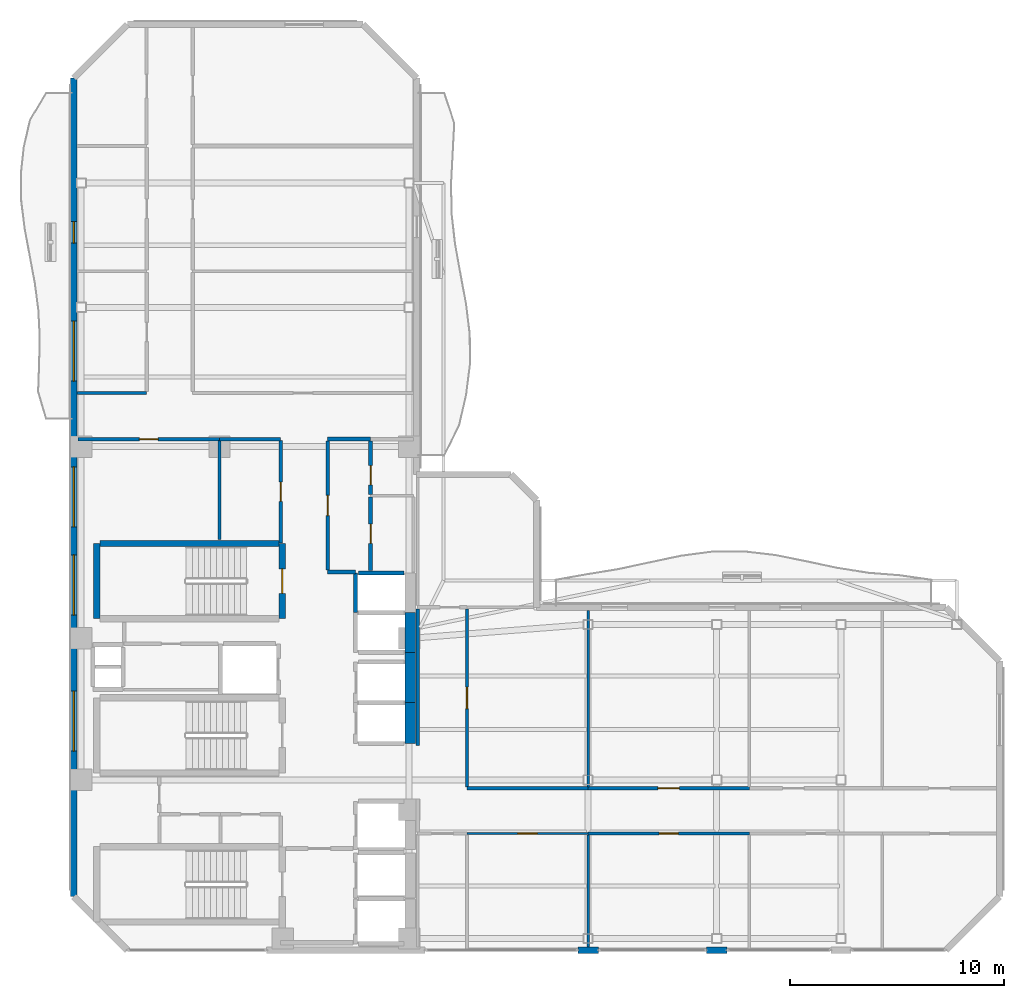
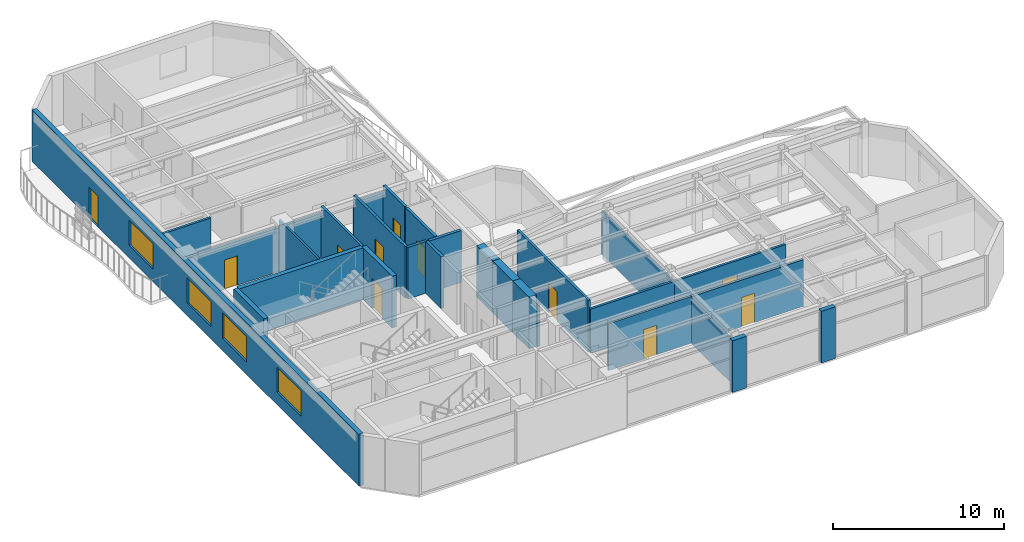
# One storey, part 10 of 16: 29 walls, 11 doors, 4 windows, 15 openings.
"""IFC4 building model written with IfcOpenShell, lengths in metres."""

import ifcopenshell
import ifcopenshell.guid

model = None  # the IFC model being written
_history = None  # IfcOwnerHistory: only IFC2X3 demands one
_inside = {}  # id of a spatial element -> (the spatial element, [elements in it])
_under = {}  # id of a project, library or spatial element -> (it, [spatial elements below it])
_declared = {}  # id of a project -> (the project, [libraries it declares])
_typed = {}  # id of a type object -> (the type object, [elements of that type])
_made_of = {}  # id of a material, layer set ... -> (it, [elements and type objects made of it])


def new_model(schema):
    """Start an empty IFC model of exactly this schema.

    Asked for "IFC4X3", IfcOpenShell would pick the latest addendum, in which some entities
    have other attributes; the version numbers below select the first issue.
    IFC2X3 requires an IfcOwnerHistory on every rooted entity: one is made here for all.
    """
    global model, _history
    if schema == "IFC4X3":
        model = ifcopenshell.file(schema_version=(4, 3, 0, 0))
    else:
        model = ifcopenshell.file(schema=schema)
    _inside.clear()
    _under.clear()
    _declared.clear()
    _typed.clear()
    _made_of.clear()
    _history = None
    if model.schema == "IFC2X3":
        org = make("IfcOrganization", Name="unknown")
        user = make(
            "IfcPersonAndOrganization",
            ThePerson=make("IfcPerson", FamilyName="unknown"),
            TheOrganization=org,
        )
        app = make(
            "IfcApplication",
            ApplicationDeveloper=org,
            Version="unknown",
            ApplicationFullName="unknown",
            ApplicationIdentifier="unknown",
        )
        _history = make(
            "IfcOwnerHistory",
            OwningUser=user,
            OwningApplication=app,
            ChangeAction="ADDED",
            CreationDate=0,
        )
    return model


def make(cls, **values):
    """One entity of the class cls with the attributes given. An attribute that is None is left unset."""
    return model.create_entity(
        cls, **{name: value for name, value in values.items() if value is not None}
    )


def rooted(cls, **values):
    """An entity with a GlobalId (a new one), such as an element, a storey or a relation."""
    return make(cls, GlobalId=ifcopenshell.guid.new(), OwnerHistory=_history, **values)


def si_unit(unit_type, name, prefix=None):
    """IfcSIUnit, for example si_unit("LENGTHUNIT", "METRE", prefix="MILLI")."""
    return make("IfcSIUnit", UnitType=unit_type, Prefix=prefix, Name=name)


def assignment(units):
    """IfcUnitAssignment: the units of a project."""
    return None if units is None else make("IfcUnitAssignment", Units=units)


def point(xyz):
    """IfcCartesianPoint."""
    return None if xyz is None else make("IfcCartesianPoint", Coordinates=xyz)


def direction(xyz):
    """IfcDirection."""
    return None if xyz is None else make("IfcDirection", DirectionRatios=xyz)


def frame(location, z_axis=None, x_axis=None):
    """IfcAxis2Placement3D, a coordinate frame: its origin and axes. An axis left out is left unset."""
    return make(
        "IfcAxis2Placement3D",
        Location=point(location),
        Axis=direction(z_axis),
        RefDirection=direction(x_axis),
    )


def frame_2d(location, x_axis=None):
    """IfcAxis2Placement2D, a coordinate frame in the plane: its origin and x axis."""
    return make(
        "IfcAxis2Placement2D", Location=point(location), RefDirection=direction(x_axis)
    )


def origin():
    """The frame at (0, 0, 0) with its axes left unset."""
    return frame((0.0, 0.0, 0.0))


def place(relative_to, where):
    """IfcLocalPlacement: puts the frame where relative to a parent placement (None: the world)."""
    return make(
        "IfcLocalPlacement", PlacementRelTo=relative_to, RelativePlacement=where
    )


def context(
    kind, dimensions, precision=None, world=None, true_north=None, identifier=None
):
    """IfcGeometricRepresentationContext, for example the 3D "Model" context."""
    return make(
        "IfcGeometricRepresentationContext",
        ContextIdentifier=identifier,
        ContextType=kind,
        CoordinateSpaceDimension=dimensions,
        Precision=precision,
        WorldCoordinateSystem=world,
        TrueNorth=true_north,
    )


def subcontext(parent, identifier, kind, view, scale=None):
    """IfcGeometricRepresentationSubContext, for example "Body" below "Model"."""
    return make(
        "IfcGeometricRepresentationSubContext",
        ContextIdentifier=identifier,
        ContextType=kind,
        ParentContext=parent,
        TargetScale=scale,
        TargetView=view,
    )


def project(units=None, contexts=None):
    """IfcProject with its units and contexts."""
    return rooted(
        "IfcProject",
        Name="project",
        RepresentationContexts=contexts,
        UnitsInContext=assignment(units),
    )


def spatial(cls, under=None, at=None, **own):
    """A site, building, storey or space (cls), placed at a placement, below another one or the project."""
    s = rooted(cls, ObjectPlacement=at, **own)
    if under is not None:
        _under.setdefault(under.id(), (under, []))[1].append(s)
    return s


def profile(cls, at=None, kind="AREA", **sizes):
    """A parametric profile (cls). Its sizes go by their IFC names, for example OverallWidth=200.0."""
    return make(cls, ProfileType=kind, Position=at, **sizes)


def rectangle(**sizes):
    """IfcRectangleProfileDef."""
    return profile("IfcRectangleProfileDef", **sizes)


def extrude(swept, where, along, depth):
    """IfcExtrudedAreaSolid: the profile swept, set in the frame where, extruded along a direction by depth."""
    return make(
        "IfcExtrudedAreaSolid",
        SweptArea=swept,
        Position=where,
        ExtrudedDirection=direction(along),
        Depth=depth,
    )


def shape(context_of_items, identifier, shape_type, items):
    """IfcShapeRepresentation: the items that make up one representation, for example the "Body"."""
    return make(
        "IfcShapeRepresentation",
        ContextOfItems=context_of_items,
        RepresentationIdentifier=identifier,
        RepresentationType=shape_type,
        Items=items,
    )


def material(Name=None, Category=None):
    """IfcMaterial."""
    return make("IfcMaterial", Name=Name, Category=Category)


def layer(
    of_material, thickness, ventilated=None, Name=None, Category=None, Priority=None
):
    """IfcMaterialLayer: one layer of a wall or slab, of a material (None: an air gap)."""
    return make(
        "IfcMaterialLayer",
        Material=of_material,
        LayerThickness=thickness,
        IsVentilated=ventilated,
        Name=Name,
        Category=Category,
        Priority=Priority,
    )


def layer_set(layers, Name=None):
    """IfcMaterialLayerSet."""
    return make("IfcMaterialLayerSet", MaterialLayers=layers, LayerSetName=Name)


def made_of(thing, what):
    """Note that an element or type object is made of a material, layer set ...; save() writes the relation."""
    if what is not None:
        _made_of.setdefault(what.id(), (what, []))[1].append(thing)
    return thing


def type_object(cls, material=None, **own):
    """A type object (cls), such as IfcWallType, which elements share."""
    return made_of(rooted(cls, **own), material)


def element(
    cls,
    number,
    at=None,
    inside=None,
    cuts=None,
    type_object=None,
    material=None,
    context=None,
    identifier="Body",
    shape_type=None,
    held_by="IfcProductDefinitionShape",
    body=None,
    shapes=None,
    **own,
):
    """One element of the class cls, such as IfcWall. Its Tag is "e" and its number.

    at: its placement. inside: the storey or other place that contains it. cuts: it is an
    opening in that element (IfcRelVoidsElement). A single representation is given by context,
    identifier, shape_type and body (its items); several are given by shapes. held_by: the class
    of the entity that holds the representations. save() writes the other relations.
    """
    e = rooted(cls, Tag="e%d" % number, ObjectPlacement=at, **own)
    if body is not None:
        shapes = [shape(context, identifier, shape_type, body)]
    if shapes is not None:
        e.Representation = make(held_by, Representations=shapes)
    if inside is not None:
        _inside.setdefault(inside.id(), (inside, []))[1].append(e)
    if cuts is not None:
        rooted(
            "IfcRelVoidsElement", RelatingBuildingElement=cuts, RelatedOpeningElement=e
        )
    if type_object is not None:
        _typed.setdefault(type_object.id(), (type_object, []))[1].append(e)
    return made_of(e, material)


def fill(opening, filler):
    """IfcRelFillsElement: the door or window that sits in an opening."""
    return rooted(
        "IfcRelFillsElement",
        RelatingOpeningElement=opening,
        RelatedBuildingElement=filler,
    )


def aggregate(whole, parts):
    """IfcRelAggregates: a whole, such as a stair, and the parts it consists of."""
    return rooted("IfcRelAggregates", RelatingObject=whole, RelatedObjects=parts)


def save(model, path):
    """Write the relations noted so far, then the file.

    IfcRelAggregates (storeys below a building ...), IfcRelContainedInSpatialStructure (elements
    in a storey), IfcRelDefinesByType, IfcRelAssociatesMaterial and IfcRelDeclares: one each for
    every whole, place, type object, material and project.
    """
    for whole, parts in _under.values():
        aggregate(whole, parts)
    for where, things in _inside.values():
        rooted(
            "IfcRelContainedInSpatialStructure",
            RelatedElements=things,
            RelatingStructure=where,
        )
    for kind, things in _typed.values():
        rooted("IfcRelDefinesByType", RelatedObjects=things, RelatingType=kind)
    for what, things in _made_of.values():
        rooted("IfcRelAssociatesMaterial", RelatedObjects=things, RelatingMaterial=what)
    for by, libraries in _declared.values():
        rooted("IfcRelDeclares", RelatingContext=by, RelatedDefinitions=libraries)
    model.write(path)


model = new_model("IFC4")

# Units and contexts
model_context = context("Model", 3, precision=1e-05, world=origin(), true_north=direction((0.0, 1.0)))
body_context = subcontext(model_context, "Body", "Model", "MODEL_VIEW")
ifc_project = project(units=[si_unit("LENGTHUNIT", "METRE"), si_unit("AREAUNIT", "SQUARE_METRE"), si_unit("VOLUMEUNIT", "CUBIC_METRE"), si_unit("PLANEANGLEUNIT", "RADIAN"), si_unit("MASSUNIT", "GRAM", prefix="KILO")], contexts=[model_context])

# Site, building, storey
site_placement = place(None, origin())
site = spatial("IfcSite", under=ifc_project, at=site_placement, CompositionType="ELEMENT")
building_placement = place(site_placement, origin())
building = spatial("IfcBuilding", under=site, at=building_placement, Name="Mawjaban Terraces University", CompositionType="ELEMENT")
storey_placement = place(building_placement, frame((0.0, 0.0, 230.39990234375)))
storey = spatial("IfcBuildingStorey", under=building, at=storey_placement, Name="L56", CompositionType="ELEMENT", Elevation=230.39990234375)

# Walls
ifc_material_1 = material(Name="Acoustic masonry blockwork", Category="masonry")
ifc_layer_1 = layer(ifc_material_1, 0.179931640625)
ifc_layer_set_1 = layer_set([ifc_layer_1], Name="Acoustic masonry blockwork")
wall_type_1 = type_object("IfcWallType", Name="AcousticStudioWall_180", PredefinedType="PARTITIONING", material=ifc_layer_set_1)
wall_1_placement = place(storey_placement, frame((33.85009765625, 17.64990234375, 0.0), z_axis=(0.0, 0.0, 1.0), x_axis=(1.0, 0.0, 0.0)))
element("IfcWall", 1, at=wall_1_placement, inside=storey, type_object=wall_type_1, Name="L56 Graduate Research Collaboration Studio Partition 11", PredefinedType="PARTITIONING", context=body_context, shape_type="SweptSolid", body=[
    extrude(rectangle(XDim=1.2998046875, YDim=0.179931640625, at=frame_2d((0.64990234375, 0.0))), origin(), (0.0, 0.0, 1.0), 3.690185546875),
])
wall_2_placement = place(storey_placement, frame((35.85009765625, 23.85009765625, 0.0), z_axis=(0.0, 0.0, 1.0), x_axis=(-1.0, 0.0, 0.0)))
element("IfcWall", 2, at=wall_2_placement, inside=storey, type_object=wall_type_1, Name="L56 Graduate Research Collaboration Studio Partition 14", PredefinedType="PARTITIONING", context=body_context, shape_type="SweptSolid", body=[
    extrude(rectangle(XDim=2.0, YDim=0.179931640625, at=frame_2d((1.0, 0.0))), origin(), (0.0, 0.0, 1.0), 3.13916015625),
])

# Wall, opening, door
wall_3_placement = place(storey_placement, frame((33.85009765625, 17.735107421875, 0.0), z_axis=(0.0, 0.0, 1.0), x_axis=(0.0, 1.0, 0.0)))
wall_3 = element("IfcWall", 3, at=wall_3_placement, inside=storey, type_object=wall_type_1, Name="L56 Core North Lift Lobby Partition 43", PredefinedType="PARTITIONING", context=body_context, shape_type="SweptSolid", body=[
    extrude(rectangle(XDim=6.02978515625, YDim=0.179931640625, at=frame_2d((3.014892578125, 0.0))), origin(), (0.0, 0.0, 1.0), 3.690185546875),
])
opening_1_placement = place(wall_3_placement, frame((2.5400390625, 0.0, 0.0)))
opening_1 = element("IfcOpeningElement", 4, at=opening_1_placement, cuts=wall_3, Name="Opening ID-095", PredefinedType="OPENING", context=body_context, shape_type="SweptSolid", body=[
    extrude(rectangle(XDim=0.949951171875, YDim=2.10009765625, at=frame_2d((0.47509765625, 1.050048828125))), frame((0.0, 0.099853515625, 0.0), z_axis=(0.0, -1.0, 0.0), x_axis=(1.0, 0.0, 0.0)), (0.0, 0.0, 1.0), 0.199951171875),
])
ifc_material_2 = material(Name="Powder-coated steel frame and solid acoustic timber leaf", Category="steel")
door_type_1 = type_object("IfcDoorType", Name="StudioDoor_950x2100", OperationType="NOTDEFINED", PredefinedType="DOOR", material=ifc_material_2)
door_1_placement = place(opening_1_placement, origin())
door_1 = element("IfcDoor", 5, at=door_1_placement, inside=storey, type_object=door_type_1, Name="L56 Graduate Research Collaboration Studio Door", OperationType="SINGLE_SWING_LEFT", OverallHeight=2.10009765625, OverallWidth=0.949951171875, PredefinedType="DOOR", context=body_context, shape_type="SweptSolid", body=[
    extrude(rectangle(XDim=0.949951171875, YDim=2.10009765625, at=frame_2d((0.47509765625, 1.050048828125))), frame((0.0, 0.02490234375, 0.0), z_axis=(0.0, -1.0, 0.0), x_axis=(1.0, 0.0, 0.0)), (0.0, 0.0, 1.0), 0.050048828125),
])
fill(opening_1, door_1)

wall_4_placement = place(storey_placement, frame((35.85009765625, 17.72998046875, 0.0), z_axis=(0.0, 0.0, 1.0), x_axis=(0.0, 1.0, 0.0)))
wall_4 = element("IfcWall", 6, at=wall_4_placement, inside=storey, type_object=wall_type_1, Name="L56 Graduate Research Collaboration Studio Partition 44", PredefinedType="PARTITIONING", context=body_context, shape_type="SweptSolid", body=[
    extrude(rectangle(XDim=3.412109375, YDim=0.179931640625, at=frame_2d((1.7060546875, 0.0))), origin(), (0.0, 0.0, 1.0), 3.690185546875),
])
opening_2_placement = place(wall_4_placement, frame((1.256103515625, 0.0, 0.0)))
opening_2 = element("IfcOpeningElement", 7, at=opening_2_placement, cuts=wall_4, Name="Opening ID-090", PredefinedType="OPENING", context=body_context, shape_type="SweptSolid", body=[
    extrude(rectangle(XDim=0.89990234375, YDim=2.10009765625, at=frame_2d((0.449951171875, 1.050048828125))), frame((0.0, 0.099853515625, 0.0), z_axis=(0.0, -1.0, 0.0), x_axis=(1.0, 0.0, 0.0)), (0.0, 0.0, 1.0), 0.199951171875),
])
door_type_2 = type_object("IfcDoorType", Name="OfficeDoor_900x2100", OperationType="NOTDEFINED", PredefinedType="DOOR", material=ifc_material_2)
door_2_placement = place(opening_2_placement, origin())
door_2 = element("IfcDoor", 8, at=door_2_placement, inside=storey, type_object=door_type_2, Name="L56 Research Instrument Store Door", OperationType="SINGLE_SWING_LEFT", OverallHeight=2.10009765625, OverallWidth=0.89990234375, PredefinedType="DOOR", context=body_context, shape_type="SweptSolid", body=[
    extrude(rectangle(XDim=0.89990234375, YDim=2.10009765625, at=frame_2d((0.449951171875, 1.050048828125))), frame((0.0, 0.02490234375, 0.0), z_axis=(0.0, -1.0, 0.0), x_axis=(1.0, 0.0, 0.0)), (0.0, 0.0, 1.0), 0.050048828125),
])
fill(opening_2, door_2)

wall_5_placement = place(storey_placement, frame((35.85009765625, 21.258056640625, 0.0), z_axis=(0.0, 0.0, 1.0), x_axis=(0.0, 1.0, 0.0)))
wall_5 = element("IfcWall", 9, at=wall_5_placement, inside=storey, type_object=wall_type_1, Name="L56 Graduate Research Collaboration Studio Partition 45", PredefinedType="PARTITIONING", context=body_context, shape_type="SweptSolid", body=[
    extrude(rectangle(XDim=2.5068359375, YDim=0.179931640625, at=frame_2d((1.25341796875, 0.0))), origin(), (0.0, 0.0, 1.0), 3.690185546875),
])
opening_3_placement = place(wall_5_placement, frame((0.4541015625, 0.0, 0.0)))
opening_3 = element("IfcOpeningElement", 10, at=opening_3_placement, cuts=wall_5, Name="Opening ID-090", PredefinedType="OPENING", context=body_context, shape_type="SweptSolid", body=[
    extrude(rectangle(XDim=0.89990234375, YDim=2.10009765625, at=frame_2d((0.449951171875, 1.050048828125))), frame((0.0, 0.099853515625, 0.0), z_axis=(0.0, -1.0, 0.0), x_axis=(1.0, 0.0, 0.0)), (0.0, 0.0, 1.0), 0.199951171875),
])
door_3_placement = place(opening_3_placement, origin())
door_3 = element("IfcDoor", 11, at=door_3_placement, inside=storey, type_object=door_type_2, Name="L56 Graduate Quiet Study Alcove Door", OperationType="SINGLE_SWING_RIGHT", OverallHeight=2.10009765625, OverallWidth=0.89990234375, PredefinedType="DOOR", context=body_context, shape_type="SweptSolid", body=[
    extrude(rectangle(XDim=0.89990234375, YDim=2.10009765625, at=frame_2d((0.449951171875, 1.050048828125))), frame((0.0, 0.02490234375, 0.0), z_axis=(0.0, -1.0, 0.0), x_axis=(1.0, 0.0, 0.0)), (0.0, 0.0, 1.0), 0.050048828125),
])
fill(opening_3, door_3)

# Walls
ifc_material_3 = material(Name="Concrete C60/75", Category="concrete")
ifc_layer_2 = layer(ifc_material_3, 0.5)
ifc_layer_set_2 = layer_set([ifc_layer_2], Name="Concrete C60/75")
wall_type_2 = type_object("IfcWallType", Name="CoreShearWall_500", PredefinedType="SHEAR", material=ifc_layer_set_2)
wall_6_placement = place(storey_placement, frame((37.699951171875, 9.64990234375, 0.0), z_axis=(0.0, 0.0, 1.0), x_axis=(0.0, 1.0, 0.0)))
element("IfcWall", 12, at=wall_6_placement, inside=storey, type_object=wall_type_2, Name="L56 Lift PL-H1 Hoistway Wall East", PredefinedType="SHEAR", context=body_context, shape_type="SweptSolid", body=[
    extrude(rectangle(XDim=1.900146484375, YDim=0.5, at=frame_2d((0.9501953125, 0.0))), origin(), (0.0, 0.0, 1.0), 3.690185546875),
])
wall_7_placement = place(storey_placement, frame((37.699951171875, 11.550048828125, 0.0), z_axis=(0.0, 0.0, 1.0), x_axis=(0.0, 1.0, 0.0)))
element("IfcWall", 13, at=wall_7_placement, inside=storey, type_object=wall_type_2, Name="L56 Lift PL-H2 Hoistway Wall East", PredefinedType="SHEAR", context=body_context, shape_type="SweptSolid", body=[
    extrude(rectangle(XDim=2.349853515625, YDim=0.5, at=frame_2d((1.1748046875, 0.0))), origin(), (0.0, 0.0, 1.0), 3.690185546875),
])
wall_8_placement = place(storey_placement, frame((37.699951171875, 13.89990234375, 0.0), z_axis=(0.0, 0.0, 1.0), x_axis=(0.0, 1.0, 0.0)))
element("IfcWall", 14, at=wall_8_placement, inside=storey, type_object=wall_type_2, Name="L56 Lift OL-1 Hoistway Wall East", PredefinedType="SHEAR", context=body_context, shape_type="SweptSolid", body=[
    extrude(rectangle(XDim=1.85009765625, YDim=0.5, at=frame_2d((0.925048828125, 0.0))), origin(), (0.0, 0.0, 1.0), 3.690185546875),
])
ifc_material_4 = material(Name="Fire-rated gypsum board on steel stud", Category="steel")
ifc_layer_3 = layer(ifc_material_4, 0.159912109375)
ifc_layer_set_3 = layer_set([ifc_layer_3], Name="Fire-rated gypsum board on steel stud")
wall_type_3 = type_object("IfcWallType", Name="CorridorPartition_160", PredefinedType="PARTITIONING", material=ifc_layer_set_3)
wall_9_placement = place(storey_placement, frame((25.39990234375, 26.0, 0.0), z_axis=(0.0, 0.0, 1.0), x_axis=(-1.0, 0.0, 0.0)))
element("IfcWall", 15, at=wall_9_placement, inside=storey, type_object=wall_type_3, Name="L56 North Core Cross-Corridor Partition 3", PredefinedType="PARTITIONING", context=body_context, shape_type="SweptSolid", body=[
    extrude(rectangle(XDim=3.2548828125, YDim=0.159912109375, at=frame_2d((1.62744140625, 0.0))), origin(), (0.0, 0.0, 1.0), 3.690185546875),
])

# Wall, opening, door
wall_10_placement = place(storey_placement, frame((28.800048828125, 23.85009765625, 0.0), z_axis=(0.0, 0.0, 1.0), x_axis=(-1.0, 0.0, 0.0)))
wall_10 = element("IfcWall", 16, at=wall_10_placement, inside=storey, type_object=wall_type_3, Name="L56 Female Toilet Partition 7", PredefinedType="PARTITIONING", context=body_context, shape_type="SweptSolid", body=[
    extrude(rectangle(XDim=6.60009765625, YDim=0.159912109375, at=frame_2d((3.300048828125, 0.0))), origin(), (0.0, 0.0, 1.0), 3.13916015625),
])
opening_4_placement = place(wall_10_placement, frame((2.860107421875, 0.0, 0.0)))
opening_4 = element("IfcOpeningElement", 17, at=opening_4_placement, cuts=wall_10, Name="Opening ID-088", PredefinedType="OPENING", context=body_context, shape_type="SweptSolid", body=[
    extrude(rectangle(XDim=0.8798828125, YDim=2.10009765625, at=frame_2d((0.43994140625, 1.050048828125))), frame((0.0, 0.08984375, 0.0), z_axis=(0.0, -1.0, 0.0), x_axis=(1.0, 0.0, 0.0)), (0.0, 0.0, 1.0), 0.179931640625),
])
door_type_3 = type_object("IfcDoorType", Name="ToiletDoor_880x2100", OperationType="NOTDEFINED", PredefinedType="DOOR", material=ifc_material_2)
door_4_placement = place(opening_4_placement, origin())
door_4 = element("IfcDoor", 18, at=door_4_placement, inside=storey, type_object=door_type_3, Name="L56 Female Toilet Door", OperationType="SINGLE_SWING_LEFT", OverallHeight=2.10009765625, OverallWidth=0.8798828125, PredefinedType="DOOR", context=body_context, shape_type="SweptSolid", body=[
    extrude(rectangle(XDim=0.8798828125, YDim=2.10009765625, at=frame_2d((0.43994140625, 1.050048828125))), frame((0.0, 0.02490234375, 0.0), z_axis=(0.0, -1.0, 0.0), x_axis=(1.0, 0.0, 0.0)), (0.0, 0.0, 1.0), 0.050048828125),
])
fill(opening_4, door_4)

# Wall
wall_11_placement = place(storey_placement, frame((31.64990234375, 23.85009765625, 0.0), z_axis=(0.0, 0.0, 1.0), x_axis=(-1.0, 0.0, 0.0)))
element("IfcWall", 19, at=wall_11_placement, inside=storey, type_object=wall_type_3, Name="L56 Faculty Academic Resource Office Partition 10", PredefinedType="PARTITIONING", context=body_context, shape_type="SweptSolid", body=[
    extrude(rectangle(XDim=2.849853515625, YDim=0.159912109375, at=frame_2d((1.4248046875, 0.0))), origin(), (0.0, 0.0, 1.0), 3.13916015625),
])

# Wall, opening, door
wall_12_placement = place(storey_placement, frame((46.0, 5.449951171875, 0.0), z_axis=(0.0, 0.0, 1.0), x_axis=(1.0, 0.0, 0.0)))
wall_12 = element("IfcWall", 20, at=wall_12_placement, inside=storey, type_object=wall_type_3, Name="L56 South Shifted Academic Corridor Partition 23", PredefinedType="PARTITIONING", context=body_context, shape_type="SweptSolid", body=[
    extrude(rectangle(XDim=7.52001953125, YDim=0.159912109375, at=frame_2d((3.760009765625, 0.0))), origin(), (0.0, 0.0, 1.0), 3.343017578125),
])
opening_5_placement = place(wall_12_placement, frame((3.31005859375, 0.0, 0.0)))
opening_5 = element("IfcOpeningElement", 21, at=opening_5_placement, cuts=wall_12, Name="Opening ID-090", PredefinedType="OPENING", context=body_context, shape_type="SweptSolid", body=[
    extrude(rectangle(XDim=0.89990234375, YDim=2.10009765625, at=frame_2d((0.449951171875, 1.050048828125))), frame((0.0, 0.08984375, 0.0), z_axis=(0.0, -1.0, 0.0), x_axis=(1.0, 0.0, 0.0)), (0.0, 0.0, 1.0), 0.179931640625),
])
door_5_placement = place(opening_5_placement, origin())
door_5 = element("IfcDoor", 22, at=door_5_placement, inside=storey, type_object=door_type_2, Name="L56 Seminar Room 4 Door", OperationType="SINGLE_SWING_LEFT", OverallHeight=2.10009765625, OverallWidth=0.89990234375, PredefinedType="DOOR", context=body_context, shape_type="SweptSolid", body=[
    extrude(rectangle(XDim=0.89990234375, YDim=2.10009765625, at=frame_2d((0.449951171875, 1.050048828125))), frame((0.0, 0.02490234375, 0.0), z_axis=(0.0, -1.0, 0.0), x_axis=(1.0, 0.0, 0.0)), (0.0, 0.0, 1.0), 0.050048828125),
])
fill(opening_5, door_5)

# Wall
wall_13_placement = place(storey_placement, frame((46.0, 7.550048828125, 0.0), z_axis=(0.0, 0.0, 1.0), x_axis=(-1.0, 0.0, 0.0)))
element("IfcWall", 23, at=wall_13_placement, inside=storey, type_object=wall_type_3, Name="L56 South Shifted Academic Corridor Partition 24", PredefinedType="PARTITIONING", context=body_context, shape_type="SweptSolid", body=[
    extrude(rectangle(XDim=5.64990234375, YDim=0.159912109375, at=frame_2d((2.824951171875, 0.0))), origin(), (0.0, 0.0, 1.0), 3.13916015625),
])

# Wall, opening, door
wall_14_placement = place(storey_placement, frame((53.52001953125, 7.550048828125, 0.0), z_axis=(0.0, 0.0, 1.0), x_axis=(-1.0, 0.0, 0.0)))
wall_14 = element("IfcWall", 24, at=wall_14_placement, inside=storey, type_object=wall_type_3, Name="L56 South Shifted Academic Corridor Partition 26", PredefinedType="PARTITIONING", context=body_context, shape_type="SweptSolid", body=[
    extrude(rectangle(XDim=7.52001953125, YDim=0.159912109375, at=frame_2d((3.760009765625, 0.0))), origin(), (0.0, 0.0, 1.0), 3.13916015625),
])
opening_6_placement = place(wall_14_placement, frame((3.260009765625, 0.0, 0.0)))
opening_6 = element("IfcOpeningElement", 25, at=opening_6_placement, cuts=wall_14, Name="Opening ID-100", PredefinedType="OPENING", context=body_context, shape_type="SweptSolid", body=[
    extrude(rectangle(XDim=1.0, YDim=2.10009765625, at=frame_2d((0.5, 1.050048828125))), frame((0.0, 0.08984375, 0.0), z_axis=(0.0, -1.0, 0.0), x_axis=(1.0, 0.0, 0.0)), (0.0, 0.0, 1.0), 0.179931640625),
])
door_type_4 = type_object("IfcDoorType", Name="ClassroomDoor_1000x2100", OperationType="NOTDEFINED", PredefinedType="DOOR", material=ifc_material_2)
door_6_placement = place(opening_6_placement, origin())
door_6 = element("IfcDoor", 26, at=door_6_placement, inside=storey, type_object=door_type_4, Name="L56 Tutorial Room 5 Door", OperationType="SINGLE_SWING_RIGHT", OverallHeight=2.10009765625, OverallWidth=1.0, PredefinedType="DOOR", context=body_context, shape_type="SweptSolid", body=[
    extrude(rectangle(XDim=1.0, YDim=2.10009765625, at=frame_2d((0.5, 1.050048828125))), frame((0.0, 0.02490234375, 0.0), z_axis=(0.0, -1.0, 0.0), x_axis=(1.0, 0.0, 0.0)), (0.0, 0.0, 1.0), 0.050048828125),
])
fill(opening_6, door_6)

wall_15_placement = place(storey_placement, frame((31.64990234375, 19.010009765625, 0.0), z_axis=(0.0, 0.0, 1.0), x_axis=(0.0, 1.0, 0.0)))
wall_15 = element("IfcWall", 27, at=wall_15_placement, inside=storey, type_object=wall_type_3, Name="L56 Faculty Academic Resource Office Partition 42", PredefinedType="PARTITIONING", context=body_context, shape_type="SweptSolid", body=[
    extrude(rectangle(XDim=4.764892578125, YDim=0.159912109375, at=frame_2d((2.38232421875, 0.0))), origin(), (0.0, 0.0, 1.0), 3.690185546875),
])
opening_7_placement = place(wall_15_placement, frame((1.931884765625, 0.0, 0.0)))
opening_7 = element("IfcOpeningElement", 28, at=opening_7_placement, cuts=wall_15, Name="Opening ID-090", PredefinedType="OPENING", context=body_context, shape_type="SweptSolid", body=[
    extrude(rectangle(XDim=0.89990234375, YDim=2.10009765625, at=frame_2d((0.449951171875, 1.050048828125))), frame((0.0, 0.08984375, 0.0), z_axis=(0.0, -1.0, 0.0), x_axis=(1.0, 0.0, 0.0)), (0.0, 0.0, 1.0), 0.179931640625),
])
door_7_placement = place(opening_7_placement, origin())
door_7 = element("IfcDoor", 29, at=door_7_placement, inside=storey, type_object=door_type_2, Name="L56 Faculty Academic Resource Office Door", OperationType="SINGLE_SWING_RIGHT", OverallHeight=2.10009765625, OverallWidth=0.89990234375, PredefinedType="DOOR", context=body_context, shape_type="SweptSolid", body=[
    extrude(rectangle(XDim=0.89990234375, YDim=2.10009765625, at=frame_2d((0.449951171875, 1.050048828125))), frame((0.0, 0.02490234375, 0.0), z_axis=(0.0, -1.0, 0.0), x_axis=(1.0, 0.0, 0.0)), (0.0, 0.0, 1.0), 0.050048828125),
])
fill(opening_7, door_7)

# Wall
wall_16_placement = place(storey_placement, frame((38.050048828125, 15.925048828125, 0.0), z_axis=(0.0, 0.0, 1.0), x_axis=(0.0, -1.0, 0.0)))
element("IfcWall", 30, at=wall_16_placement, inside=storey, type_object=wall_type_3, Name="L56 South Spine Spur Link Partition 49", PredefinedType="PARTITIONING", context=body_context, shape_type="SweptSolid", body=[
    extrude(rectangle(XDim=6.375, YDim=0.159912109375, at=frame_2d((3.1875, 0.0))), origin(), (0.0, 0.0, 1.0), 3.13916015625),
])

# Wall, opening, door
wall_17_placement = place(storey_placement, frame((40.35009765625, 7.625, 0.0), z_axis=(0.0, 0.0, 1.0), x_axis=(0.0, 1.0, 0.0)))
wall_17 = element("IfcWall", 31, at=wall_17_placement, inside=storey, type_object=wall_type_3, Name="L56 South Spine Spur Link Partition 52", PredefinedType="PARTITIONING", context=body_context, shape_type="SweptSolid", body=[
    extrude(rectangle(XDim=8.300048828125, YDim=0.159912109375, at=frame_2d((4.14990234375, 0.0))), origin(), (0.0, 0.0, 1.0), 3.690185546875),
])
opening_8_placement = place(wall_17_placement, frame((3.64990234375, 0.0, 0.0)))
opening_8 = element("IfcOpeningElement", 32, at=opening_8_placement, cuts=wall_17, Name="Opening ID-100", PredefinedType="OPENING", context=body_context, shape_type="SweptSolid", body=[
    extrude(rectangle(XDim=1.0, YDim=2.10009765625, at=frame_2d((0.5, 1.050048828125))), frame((0.0, 0.08984375, 0.0), z_axis=(0.0, -1.0, 0.0), x_axis=(1.0, 0.0, 0.0)), (0.0, 0.0, 1.0), 0.179931640625),
])
door_8_placement = place(opening_8_placement, origin())
door_8 = element("IfcDoor", 33, at=door_8_placement, inside=storey, type_object=door_type_4, Name="L56 Classroom 3 Door", OperationType="SINGLE_SWING_RIGHT", OverallHeight=2.10009765625, OverallWidth=1.0, PredefinedType="DOOR", context=body_context, shape_type="SweptSolid", body=[
    extrude(rectangle(XDim=1.0, YDim=2.10009765625, at=frame_2d((0.5, 1.050048828125))), frame((0.0, 0.02490234375, 0.0), z_axis=(0.0, -1.0, 0.0), x_axis=(1.0, 0.0, 0.0)), (0.0, 0.0, 1.0), 0.050048828125),
])
fill(opening_8, door_8)

# Walls
ifc_material_5 = material(Name="Insulated terracotta rainscreen on concrete backup C40/50", Category="masonry")
ifc_layer_4 = layer(ifc_material_5, 0.300048828125)
ifc_layer_set_4 = layer_set([ifc_layer_4], Name="Insulated terracotta rainscreen on concrete backup C40/50")
wall_type_4 = type_object("IfcWallType", Name="ExtTerracottaWall_300", PredefinedType="SOLIDWALL", material=ifc_layer_set_4)
for number, where, z_axis, x_axis, name in (
    (34, (45.52490234375, 0.0, 0.0), (0.0, 0.0, 1.0), (1.0, 0.0, 0.0), "L56 Exterior Terracotta Pier Wall 1.2"),
    (35, (51.52490234375, 0.0, 0.0), (0.0, 0.0, 1.0), (1.0, 0.0, 0.0), "L56 Exterior Terracotta Pier Wall 1.3"),
):
    element("IfcWall", number, at=place(storey_placement, frame(where, z_axis=z_axis, x_axis=x_axis)), inside=storey, type_object=wall_type_4, Name=name, PredefinedType="SOLIDWALL", context=body_context, shape_type="SweptSolid", body=[
        extrude(rectangle(XDim=0.9501953125, YDim=0.300048828125, at=frame_2d((0.47509765625, 0.0))), origin(), (0.0, 0.0, 1.0), 3.690185546875),
    ])

# Wall, openings, door, windows
wall_18_placement = place(storey_placement, frame((22.0, 40.699951171875, 0.0), z_axis=(0.0, 0.0, 1.0), x_axis=(0.0, -1.0, 0.0)))
wall_18 = element("IfcWall", 36, at=wall_18_placement, inside=storey, type_object=wall_type_4, Name="L56 Exterior Terracotta Wall 13", PredefinedType="SOLIDWALL", context=body_context, shape_type="SweptSolid", body=[
    extrude(rectangle(XDim=38.199951171875, YDim=0.300048828125, at=frame_2d((19.10009765625, 0.0))), origin(), (0.0, 0.0, 1.0), 3.690185546875),
])
opening_9_placement = place(wall_18_placement, frame((6.699951171875, 0.0, 0.0)))
opening_9 = element("IfcOpeningElement", 37, at=opening_9_placement, cuts=wall_18, Name="Opening BD-100", PredefinedType="OPENING", context=body_context, shape_type="SweptSolid", body=[
    extrude(rectangle(XDim=1.0, YDim=2.199951171875, at=frame_2d((0.5, 1.10009765625))), frame((0.0, 0.159912109375, 0.0), z_axis=(0.0, -1.0, 0.0), x_axis=(1.0, 0.0, 0.0)), (0.0, 0.0, 1.0), 0.320068359375),
])
opening_10_placement = place(wall_18_placement, frame((11.343017578125, 0.0, 0.89990234375)))
opening_10 = element("IfcOpeningElement", 38, at=opening_10_placement, cuts=wall_18, Name="Opening W-09", PredefinedType="OPENING", context=body_context, shape_type="SweptSolid", body=[
    extrude(rectangle(XDim=2.800048828125, YDim=1.800048828125, at=frame_2d((1.39990234375, 0.89990234375))), frame((0.0, 0.159912109375, 0.0), z_axis=(0.0, -1.0, 0.0), x_axis=(1.0, 0.0, 0.0)), (0.0, 0.0, 1.0), 0.320068359375),
])
opening_11_placement = place(wall_18_placement, frame((18.14990234375, 0.0, 0.89990234375)))
opening_11 = element("IfcOpeningElement", 39, at=opening_11_placement, cuts=wall_18, Name="Opening W-09", PredefinedType="OPENING", context=body_context, shape_type="SweptSolid", body=[
    extrude(rectangle(XDim=2.800048828125, YDim=1.800048828125, at=frame_2d((1.39990234375, 0.89990234375))), frame((0.0, 0.159912109375, 0.0), z_axis=(0.0, -1.0, 0.0), x_axis=(1.0, 0.0, 0.0)), (0.0, 0.0, 1.0), 0.320068359375),
])
opening_12_placement = place(wall_18_placement, frame((22.257080078125, 0.0, 0.89990234375)))
opening_12 = element("IfcOpeningElement", 40, at=opening_12_placement, cuts=wall_18, Name="Opening W-09", PredefinedType="OPENING", context=body_context, shape_type="SweptSolid", body=[
    extrude(rectangle(XDim=2.800048828125, YDim=1.800048828125, at=frame_2d((1.39990234375, 0.89990234375))), frame((0.0, 0.159912109375, 0.0), z_axis=(0.0, -1.0, 0.0), x_axis=(1.0, 0.0, 0.0)), (0.0, 0.0, 1.0), 0.320068359375),
])
opening_13_placement = place(wall_18_placement, frame((28.614013671875, 0.0, 0.89990234375)))
opening_13 = element("IfcOpeningElement", 41, at=opening_13_placement, cuts=wall_18, Name="Opening W-09", PredefinedType="OPENING", context=body_context, shape_type="SweptSolid", body=[
    extrude(rectangle(XDim=2.800048828125, YDim=1.800048828125, at=frame_2d((1.39990234375, 0.89990234375))), frame((0.0, 0.159912109375, 0.0), z_axis=(0.0, -1.0, 0.0), x_axis=(1.0, 0.0, 0.0)), (0.0, 0.0, 1.0), 0.320068359375),
])
ifc_material_6 = material(Name="Thermally broken anodised aluminium and laminated safety glass", Category="aluminium")
door_type_5 = type_object("IfcDoorType", Name="BalconyGlazedDoor_1000x2200", OperationType="NOTDEFINED", PredefinedType="DOOR", material=ifc_material_6)
door_9_placement = place(opening_9_placement, origin())
door_9 = element("IfcDoor", 42, at=door_9_placement, inside=storey, type_object=door_type_5, Name="L56 Balcony Access Door west", OperationType="SINGLE_SWING_LEFT", OverallHeight=2.199951171875, OverallWidth=1.0, PredefinedType="DOOR", context=body_context, shape_type="SweptSolid", body=[
    extrude(rectangle(XDim=1.0, YDim=2.199951171875, at=frame_2d((0.5, 1.10009765625))), frame((0.0, 0.02490234375, 0.0), z_axis=(0.0, -1.0, 0.0), x_axis=(1.0, 0.0, 0.0)), (0.0, 0.0, 1.0), 0.050048828125),
])
fill(opening_9, door_9)
ifc_material_7 = material(Name="Low-E solar-control double glazing in thermally broken aluminium frame", Category="aluminium")
window_type = type_object("IfcWindowType", Name="Win_2800x1800", PartitioningType="SINGLE_PANEL", PredefinedType="WINDOW", material=ifc_material_7)
window_1_placement = place(opening_10_placement, origin())
window_1 = element("IfcWindow", 43, at=window_1_placement, inside=storey, type_object=window_type, Name="L56 Facade Window 13.3", OverallHeight=1.800048828125, OverallWidth=2.800048828125, PartitioningType="SINGLE_PANEL", PredefinedType="WINDOW", context=body_context, shape_type="SweptSolid", body=[
    extrude(rectangle(XDim=2.800048828125, YDim=1.800048828125, at=frame_2d((1.39990234375, 0.89990234375))), frame((0.0, 0.030029296875, 0.0), z_axis=(0.0, -1.0, 0.0), x_axis=(1.0, 0.0, 0.0)), (0.0, 0.0, 1.0), 0.06005859375),
])
fill(opening_10, window_1)
window_2_placement = place(opening_11_placement, origin())
window_2 = element("IfcWindow", 44, at=window_2_placement, inside=storey, type_object=window_type, Name="L56 Facade Window 13.4", OverallHeight=1.800048828125, OverallWidth=2.800048828125, PartitioningType="SINGLE_PANEL", PredefinedType="WINDOW", context=body_context, shape_type="SweptSolid", body=[
    extrude(rectangle(XDim=2.800048828125, YDim=1.800048828125, at=frame_2d((1.39990234375, 0.89990234375))), frame((0.0, 0.030029296875, 0.0), z_axis=(0.0, -1.0, 0.0), x_axis=(1.0, 0.0, 0.0)), (0.0, 0.0, 1.0), 0.06005859375),
])
fill(opening_11, window_2)
window_3_placement = place(opening_12_placement, origin())
window_3 = element("IfcWindow", 45, at=window_3_placement, inside=storey, type_object=window_type, Name="L56 Facade Window 13.5", OverallHeight=1.800048828125, OverallWidth=2.800048828125, PartitioningType="SINGLE_PANEL", PredefinedType="WINDOW", context=body_context, shape_type="SweptSolid", body=[
    extrude(rectangle(XDim=2.800048828125, YDim=1.800048828125, at=frame_2d((1.39990234375, 0.89990234375))), frame((0.0, 0.030029296875, 0.0), z_axis=(0.0, -1.0, 0.0), x_axis=(1.0, 0.0, 0.0)), (0.0, 0.0, 1.0), 0.06005859375),
])
fill(opening_12, window_3)
window_4_placement = place(opening_13_placement, origin())
window_4 = element("IfcWindow", 46, at=window_4_placement, inside=storey, type_object=window_type, Name="L56 Facade Window 13.6", OverallHeight=1.800048828125, OverallWidth=2.800048828125, PartitioningType="SINGLE_PANEL", PredefinedType="WINDOW", context=body_context, shape_type="SweptSolid", body=[
    extrude(rectangle(XDim=2.800048828125, YDim=1.800048828125, at=frame_2d((1.39990234375, 0.89990234375))), frame((0.0, 0.030029296875, 0.0), z_axis=(0.0, -1.0, 0.0), x_axis=(1.0, 0.0, 0.0)), (0.0, 0.0, 1.0), 0.06005859375),
])
fill(opening_13, window_4)

# Walls
ifc_material_8 = material(Name="Concrete C40/50", Category="concrete")
ifc_layer_5 = layer(ifc_material_8, 0.199951171875)
ifc_layer_set_5 = layer_set([ifc_layer_5], Name="Concrete C40/50")
wall_type_5 = type_object("IfcWallType", Name="FireLobbyWall_200", PredefinedType="SOLIDWALL", material=ifc_layer_set_5)
wall_19_placement = place(storey_placement, frame((35.14990234375, 17.60009765625, 0.0), z_axis=(0.0, 0.0, 1.0), x_axis=(0.0, -1.0, 0.0)))
element("IfcWall", 47, at=wall_19_placement, inside=storey, type_object=wall_type_5, Name="L56 Lift OL-2 Hoistway Wall West", PredefinedType="SOLIDWALL", context=body_context, shape_type="SweptSolid", body=[
    extrude(rectangle(XDim=1.85009765625, YDim=0.199951171875, at=frame_2d((0.925048828125, 0.0))), origin(), (0.0, 0.0, 1.0), 3.690185546875),
])
wall_20_placement = place(storey_placement, frame((37.419921875, 17.60009765625, 0.0), z_axis=(0.0, 0.0, 1.0), x_axis=(-1.0, 0.0, 0.0)))
element("IfcWall", 48, at=wall_20_placement, inside=storey, type_object=wall_type_5, Name="L56 Lift OL-2 Hoistway Wall North", PredefinedType="SOLIDWALL", context=body_context, shape_type="SweptSolid", body=[
    extrude(rectangle(XDim=2.139892578125, YDim=0.199951171875, at=frame_2d((1.06982421875, 0.0))), origin(), (0.0, 0.0, 1.0), 3.690185546875),
])
ifc_material_9 = material(Name="Gypsum plasterboard on steel stud", Category="steel")
ifc_layer_6 = layer(ifc_material_9, 0.125)
ifc_layer_set_6 = layer_set([ifc_layer_6], Name="Gypsum plasterboard on steel stud")
wall_type_6 = type_object("IfcWallType", Name="OfficePartition_125", PredefinedType="PARTITIONING", material=ifc_layer_set_6)
wall_21_placement = place(storey_placement, frame((46.0, 0.14501953125, 0.0), z_axis=(0.0, 0.0, 1.0), x_axis=(0.0, 1.0, 0.0)))
element("IfcWall", 49, at=wall_21_placement, inside=storey, type_object=wall_type_6, Name="L56 Conference Room 2 Partition 53", PredefinedType="PARTITIONING", context=body_context, shape_type="SweptSolid", body=[
    extrude(rectangle(XDim=5.22998046875, YDim=0.125, at=frame_2d((2.614990234375, 0.0))), origin(), (0.0, 0.0, 1.0), 3.13916015625),
])
wall_22_placement = place(storey_placement, frame((46.0, 7.625, 0.0), z_axis=(0.0, 0.0, 1.0), x_axis=(0.0, 1.0, 0.0)))
element("IfcWall", 50, at=wall_22_placement, inside=storey, type_object=wall_type_6, Name="L56 Classroom 3 Partition 54", PredefinedType="PARTITIONING", context=body_context, shape_type="SweptSolid", body=[
    extrude(rectangle(XDim=8.22998046875, YDim=0.125, at=frame_2d((4.114990234375, 0.0))), origin(), (0.0, 0.0, 1.0), 3.13916015625),
])

# Wall, opening, door
ifc_material_10 = material(Name="Acoustic operable panel partition", Category="masonry")
ifc_layer_7 = layer(ifc_material_10, 0.110107421875)
ifc_layer_set_7 = layer_set([ifc_layer_7], Name="Acoustic operable panel partition")
wall_type_7 = type_object("IfcWallType", Name="OperableSeminarWall_110", PredefinedType="MOVABLE", material=ifc_layer_set_7)
wall_23_placement = place(storey_placement, frame((40.35009765625, 5.449951171875, 0.0), z_axis=(0.0, 0.0, 1.0), x_axis=(1.0, 0.0, 0.0)))
wall_23 = element("IfcWall", 51, at=wall_23_placement, inside=storey, type_object=wall_type_7, Name="L56 South Shifted Academic Corridor Partition 20", PredefinedType="MOVABLE", context=body_context, shape_type="SweptSolid", body=[
    extrude(rectangle(XDim=5.64990234375, YDim=0.110107421875, at=frame_2d((2.824951171875, 0.0))), origin(), (0.0, 0.0, 1.0), 3.343017578125),
])
opening_14_placement = place(wall_23_placement, frame((2.375, 0.0, 0.0)))
opening_14 = element("IfcOpeningElement", 52, at=opening_14_placement, cuts=wall_23, Name="Opening ID-090", PredefinedType="OPENING", context=body_context, shape_type="SweptSolid", body=[
    extrude(rectangle(XDim=0.89990234375, YDim=2.10009765625, at=frame_2d((0.449951171875, 1.050048828125))), frame((0.0, 0.06494140625, 0.0), z_axis=(0.0, -1.0, 0.0), x_axis=(1.0, 0.0, 0.0)), (0.0, 0.0, 1.0), 0.130126953125),
])
door_10_placement = place(opening_14_placement, origin())
door_10 = element("IfcDoor", 53, at=door_10_placement, inside=storey, type_object=door_type_2, Name="L56 Conference Room 2 Door", OperationType="SINGLE_SWING_LEFT", OverallHeight=2.10009765625, OverallWidth=0.89990234375, PredefinedType="DOOR", context=body_context, shape_type="SweptSolid", body=[
    extrude(rectangle(XDim=0.89990234375, YDim=2.10009765625, at=frame_2d((0.449951171875, 1.050048828125))), frame((0.0, 0.02490234375, 0.0), z_axis=(0.0, -1.0, 0.0), x_axis=(1.0, 0.0, 0.0)), (0.0, 0.0, 1.0), 0.050048828125),
])
fill(opening_14, door_10)

# Walls
ifc_layer_8 = layer(ifc_material_3, 0.300048828125)
ifc_layer_set_8 = layer_set([ifc_layer_8], Name="Concrete C60/75")
wall_type_8 = type_object("IfcWallType", Name="StairShaftWall_300", PredefinedType="SHEAR", material=ifc_layer_set_8)
wall_24_placement = place(storey_placement, frame((31.580078125, 18.97998046875, 0.0), z_axis=(0.0, 0.0, 1.0), x_axis=(-1.0, 0.0, 0.0)))
element("IfcWall", 54, at=wall_24_placement, inside=storey, type_object=wall_type_8, Name="L56 ST-2 Stair Shaft Wall 1", PredefinedType="SHEAR", context=body_context, shape_type="SweptSolid", body=[
    extrude(rectangle(XDim=8.360107421875, YDim=0.300048828125, at=frame_2d((4.18017578125, 0.0))), origin(), (0.0, 0.0, 1.0), 3.690185546875),
])
wall_25_placement = place(storey_placement, frame((23.070068359375, 18.97998046875, 0.0), z_axis=(0.0, 0.0, 1.0), x_axis=(0.0, -1.0, 0.0)))
element("IfcWall", 55, at=wall_25_placement, inside=storey, type_object=wall_type_8, Name="L56 ST-2 Stair Shaft Wall 2", PredefinedType="SHEAR", context=body_context, shape_type="SweptSolid", body=[
    extrude(rectangle(XDim=3.510009765625, YDim=0.300048828125, at=frame_2d((1.7548828125, 0.0))), origin(), (0.0, 0.0, 1.0), 3.690185546875),
])

# Wall, opening, door
wall_26_placement = place(storey_placement, frame((31.72998046875, 15.469970703125, 0.0), z_axis=(0.0, 0.0, 1.0), x_axis=(0.0, 1.0, 0.0)))
wall_26 = element("IfcWall", 56, at=wall_26_placement, inside=storey, type_object=wall_type_8, Name="L56 ST-2 Stair Shaft Wall 4", PredefinedType="SHEAR", context=body_context, shape_type="SweptSolid", body=[
    extrude(rectangle(XDim=3.510009765625, YDim=0.300048828125, at=frame_2d((1.7548828125, 0.0))), origin(), (0.0, 0.0, 1.0), 3.690185546875),
])
opening_15_placement = place(wall_26_placement, frame((1.179931640625, 0.0, 0.0)))
opening_15 = element("IfcOpeningElement", 57, at=opening_15_placement, cuts=wall_26, Name="Opening FD-115", PredefinedType="OPENING", context=body_context, shape_type="SweptSolid", body=[
    extrude(rectangle(XDim=1.14990234375, YDim=2.14990234375, at=frame_2d((0.574951171875, 1.074951171875))), frame((0.0, 0.159912109375, 0.0), z_axis=(0.0, -1.0, 0.0), x_axis=(1.0, 0.0, 0.0)), (0.0, 0.0, 1.0), 0.320068359375),
])
ifc_material_11 = material(Name="Powder-coated steel frame and fire-rated steel-faced leaf", Category="steel")
door_type_6 = type_object("IfcDoorType", Name="FireStairDoor_1150x2150", OperationType="NOTDEFINED", PredefinedType="DOOR", material=ifc_material_11)
door_11_placement = place(opening_15_placement, origin())
door_11 = element("IfcDoor", 58, at=door_11_placement, inside=storey, type_object=door_type_6, Name="L56 ST-2 Pressurised Stair Fire Door", OperationType="SINGLE_SWING_RIGHT", OverallHeight=2.14990234375, OverallWidth=1.14990234375, PredefinedType="DOOR", context=body_context, shape_type="SweptSolid", body=[
    extrude(rectangle(XDim=1.14990234375, YDim=2.14990234375, at=frame_2d((0.574951171875, 1.074951171875))), frame((0.0, 0.02490234375, 0.0), z_axis=(0.0, -1.0, 0.0), x_axis=(1.0, 0.0, 0.0)), (0.0, 0.0, 1.0), 0.050048828125),
])
fill(opening_15, door_11)

# Wall
ifc_material_12 = material(Name="Cement-board wet-room partition", Category="masonry")
ifc_layer_9 = layer(ifc_material_12, 0.135009765625)
ifc_layer_set_9 = layer_set([ifc_layer_9], Name="Cement-board wet-room partition")
wall_type_9 = type_object("IfcWallType", Name="WetRoomPartition_135", PredefinedType="PARTITIONING", material=ifc_layer_set_9)
wall_27_placement = place(storey_placement, frame((28.800048828125, 23.77490234375, 0.0), z_axis=(0.0, 0.0, 1.0), x_axis=(0.0, -1.0, 0.0)))
element("IfcWall", 59, at=wall_27_placement, inside=storey, type_object=wall_type_9, Name="L56 Faculty Academic Resource Office Partition 39", PredefinedType="PARTITIONING", context=body_context, shape_type="SweptSolid", body=[
    extrude(rectangle(XDim=4.614990234375, YDim=0.135009765625, at=frame_2d((2.3076171875, 0.0))), origin(), (0.0, 0.0, 1.0), 3.690185546875),
])

save(model, "model.ifc")
